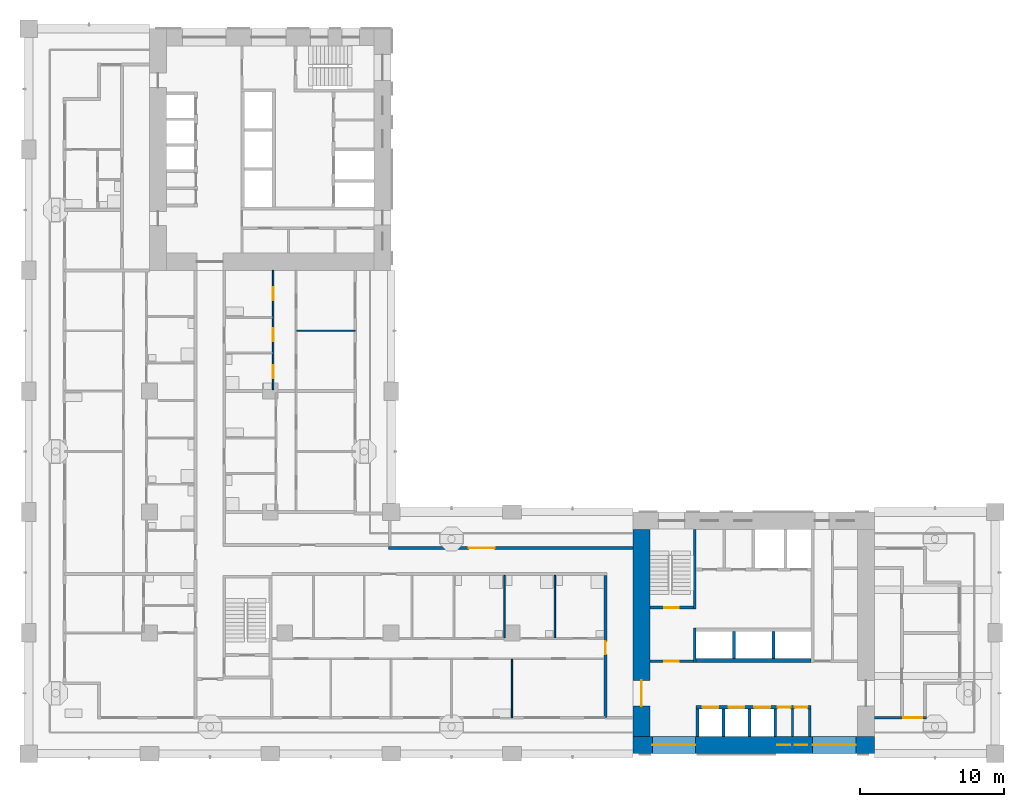
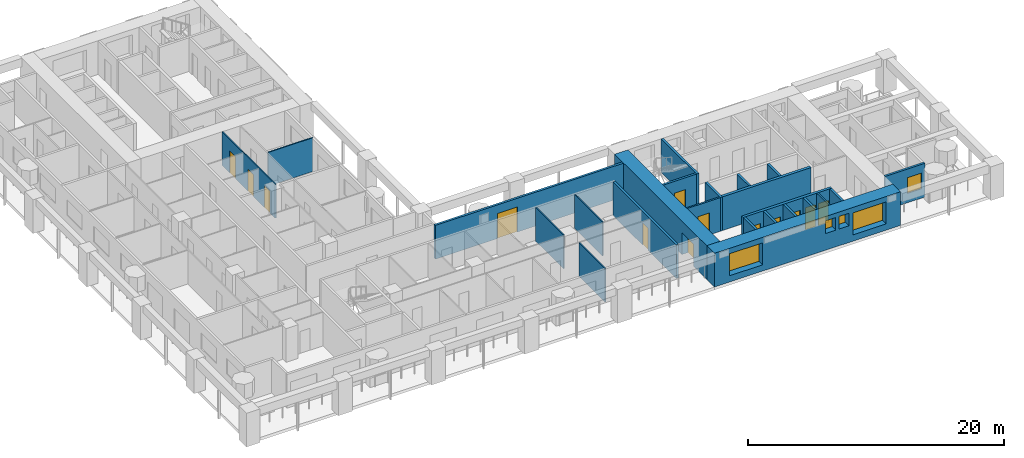
# One storey, part 5 of 19: 24 walls, 13 doors, 5 windows, 18 openings.
"""IFC4 building model written with IfcOpenShell, lengths in metres."""

from ifc_helpers import new_model, si_unit, direction, frame, frame_2d, origin, place, context, subcontext, project, spatial, rectangle, extrude, material, layer, layer_set, type_object, element, fill, save


model = new_model("IFC4")

# Units and contexts
model_context = context("Model", 3, precision=1e-05, world=origin(), true_north=direction((0.0, 1.0)))
body_context = subcontext(model_context, "Body", "Model", "MODEL_VIEW")
ifc_project = project(units=[si_unit("LENGTHUNIT", "METRE"), si_unit("AREAUNIT", "SQUARE_METRE"), si_unit("VOLUMEUNIT", "CUBIC_METRE"), si_unit("PLANEANGLEUNIT", "RADIAN"), si_unit("MASSUNIT", "GRAM", prefix="KILO")], contexts=[model_context])

# Site, building, storey
site_placement = place(None, origin())
site = spatial("IfcSite", under=ifc_project, at=site_placement, CompositionType="ELEMENT")
building_placement = place(site_placement, origin())
building = spatial("IfcBuilding", under=site, at=building_placement, Name="Vermilion Gate Residences", CompositionType="ELEMENT")
storey_placement = place(building_placement, frame((0.0, 0.0, 119.699951171875)))
storey = spatial("IfcBuildingStorey", under=building, at=storey_placement, Name="L30", CompositionType="ELEMENT", Elevation=119.699951171875)

# Wall
ifc_material_1 = material(Name="Masonry blockwork", Category="masonry")
ifc_layer_1 = layer(ifc_material_1, 0.14990234375)
ifc_layer_set_1 = layer_set([ifc_layer_1], Name="BLOCKWORK PARTITION 150 EI 120")
wall_type_1 = type_object("IfcWallType", Name="BLOCKWORK PARTITION 150 EI 120", PredefinedType="PARTITIONING", material=ifc_layer_set_1)
wall_1_placement = place(storey_placement, frame((53.10009765625, 9.60009765625, 0.0), z_axis=(0.0, 0.0, 1.0), x_axis=(0.0, 1.0, 0.0)))
element("IfcWall", 1, at=wall_1_placement, inside=storey, type_object=wall_type_1, Name="Core room partition A30-SR-P0", PredefinedType="PARTITIONING", context=body_context, shape_type="SweptSolid", body=[
    extrude(rectangle(XDim=1.89990234375, YDim=0.14990234375, at=frame_2d((0.949951171875, 0.0))), origin(), (0.0, 0.0, 1.0), 3.219970703125),
])

# Wall, opening, door
wall_2_placement = place(storey_placement, frame((43.199951171875, 14.824951171875, 0.0), z_axis=(0.0, 0.0, 1.0), x_axis=(1.0, 0.0, 0.0)))
wall_2 = element("IfcWall", 2, at=wall_2_placement, inside=storey, type_object=wall_type_1, Name="Core room partition A30-VW-S", PredefinedType="PARTITIONING", context=body_context, shape_type="SweptSolid", body=[
    extrude(rectangle(XDim=3.0, YDim=0.14990234375, at=frame_2d((1.5, 0.0))), origin(), (0.0, 0.0, 1.0), 3.219970703125),
])
opening_1_placement = place(wall_2_placement, frame((1.0, 0.0, 0.0)))
opening_1 = element("IfcOpeningElement", 3, at=opening_1_placement, cuts=wall_2, Name="Opening DK30012", PredefinedType="OPENING", context=body_context, shape_type="SweptSolid", body=[
    extrude(rectangle(XDim=1.0, YDim=2.10009765625, at=frame_2d((0.5, 1.050048828125))), frame((0.0, 0.0849609375, 0.0), z_axis=(0.0, -1.0, 0.0), x_axis=(1.0, 0.0, 0.0)), (0.0, 0.0, 1.0), 0.169921875),
])
ifc_material_2 = material(Name="Steel", Category="steel")
door_type_1 = type_object("IfcDoorType", Name="FIRE DOOR FD60 1000 X 2100", OperationType="SINGLE_SWING_LEFT", PredefinedType="DOOR", material=ifc_material_2)
door_1_placement = place(opening_1_placement, frame((1.0, 0.0, 0.0), z_axis=(0.0, 0.0, 1.0), x_axis=(-1.0, 0.0, 0.0)))
door_1 = element("IfcDoor", 4, at=door_1_placement, inside=storey, type_object=door_type_1, Name="Stair vestibule door A30", OperationType="SINGLE_SWING_RIGHT", OverallHeight=2.10009765625, OverallWidth=1.0, PredefinedType="DOOR", context=body_context, shape_type="SweptSolid", body=[
    extrude(rectangle(XDim=1.0, YDim=2.10009765625, at=frame_2d((0.5, 1.050048828125))), frame((0.0, 0.02490234375, 0.0), z_axis=(0.0, -1.0, 0.0), x_axis=(1.0, 0.0, 0.0)), (0.0, 0.0, 1.0), 0.050048828125),
])
fill(opening_1, door_1)

# Wall, opening, window
ifc_material_3 = material(Name="Insulated steel stud wall with terracotta rainscreen", Category="masonry")
ifc_layer_2 = layer(ifc_material_3, 0.199951171875)
ifc_layer_set_2 = layer_set([ifc_layer_2], Name="EXTERNAL WALL 200 TERRACOTTA RAINSCREEN")
wall_type_2 = type_object("IfcWallType", Name="EXTERNAL WALL 200 TERRACOTTA RAINSCREEN", PredefinedType="SOLIDWALL", material=ifc_layer_set_2)
wall_3_placement = place(storey_placement, frame((58.800048828125, 10.89990234375, 0.0), z_axis=(0.0, 0.0, 1.0), x_axis=(1.0, 0.0, 0.0)))
wall_3 = element("IfcWall", 5, at=wall_3_placement, inside=storey, type_object=wall_type_2, Name="External wall", PredefinedType="SOLIDWALL", context=body_context, shape_type="SweptSolid", body=[
    extrude(rectangle(XDim=3.599853515625, YDim=0.199951171875, at=frame_2d((1.7998046875, 0.0))), origin(), (0.0, 0.0, 1.0), 3.219970703125),
])
opening_2_placement = place(wall_3_placement, frame((2.0, 0.0, 0.89990234375)))
opening_2 = element("IfcOpeningElement", 6, at=opening_2_placement, cuts=wall_3, Name="Opening WE30020", PredefinedType="OPENING", context=body_context, shape_type="SweptSolid", body=[
    extrude(rectangle(XDim=1.300048828125, YDim=1.5, at=frame_2d((0.64990234375, 0.75))), frame((0.0, 0.10986328125, 0.0), z_axis=(0.0, -1.0, 0.0), x_axis=(1.0, 0.0, 0.0)), (0.0, 0.0, 1.0), 0.219970703125),
])
ifc_material_4 = material(Name="Aluminium and clear glass", Category="aluminium")
window_type_1 = type_object("IfcWindowType", Name="WINDOW 1300 X 1500", PartitioningType="SINGLE_PANEL", PredefinedType="WINDOW", material=ifc_material_4)
window_1_placement = place(opening_2_placement, origin())
window_1 = element("IfcWindow", 7, at=window_1_placement, inside=storey, type_object=window_type_1, Name="Window", OverallHeight=1.5, OverallWidth=1.300048828125, PartitioningType="SINGLE_PANEL", PredefinedType="WINDOW", context=body_context, shape_type="SweptSolid", body=[
    extrude(rectangle(XDim=1.300048828125, YDim=1.5, at=frame_2d((0.64990234375, 0.75))), frame((0.0, 0.030029296875, 0.0), z_axis=(0.0, -1.0, 0.0), x_axis=(1.0, 0.0, 0.0)), (0.0, 0.0, 1.0), 0.06005859375),
])
fill(opening_2, window_1)

# Wall, opening, door
wall_4_placement = place(storey_placement, frame((42.0, 22.699951171875, 0.0), z_axis=(0.0, 0.0, 1.0), x_axis=(-1.0, 0.0, 0.0)))
wall_4 = element("IfcWall", 8, at=wall_4_placement, inside=storey, type_object=wall_type_2, Name="External wall", PredefinedType="SOLIDWALL", context=body_context, shape_type="SweptSolid", body=[
    extrude(rectangle(XDim=17.0, YDim=0.199951171875, at=frame_2d((8.5, 0.0))), origin(), (0.0, 0.0, 1.0), 3.219970703125),
])
opening_3_placement = place(wall_4_placement, frame((9.60009765625, 0.0, 0.0)))
opening_3 = element("IfcOpeningElement", 9, at=opening_3_placement, cuts=wall_4, Name="Opening DE30029", PredefinedType="OPENING", context=body_context, shape_type="SweptSolid", body=[
    extrude(rectangle(XDim=1.800048828125, YDim=2.39990234375, at=frame_2d((0.89990234375, 1.199951171875))), frame((0.0, 0.10986328125, 0.0), z_axis=(0.0, -1.0, 0.0), x_axis=(1.0, 0.0, 0.0)), (0.0, 0.0, 1.0), 0.219970703125),
])
ifc_material_5 = material(Name="Aluminium and clear glass", Category="aluminium")
door_type_2 = type_object("IfcDoorType", Name="GLAZED EXTERNAL DOOR 1800 X 2400", OperationType="DOUBLE_DOOR_SINGLE_SWING", PredefinedType="DOOR", material=ifc_material_5)
door_2_placement = place(opening_3_placement, frame((1.800048828125, 0.0, 0.0), z_axis=(0.0, 0.0, 1.0), x_axis=(-1.0, 0.0, 0.0)))
door_2 = element("IfcDoor", 10, at=door_2_placement, inside=storey, type_object=door_type_2, Name="Gallery door", OperationType="DOUBLE_DOOR_SINGLE_SWING", OverallHeight=2.39990234375, OverallWidth=1.800048828125, PredefinedType="DOOR", context=body_context, shape_type="SweptSolid", body=[
    extrude(rectangle(XDim=1.800048828125, YDim=2.39990234375, at=frame_2d((0.89990234375, 1.199951171875))), frame((0.0, 0.02490234375, 0.0), z_axis=(0.0, -1.0, 0.0), x_axis=(1.0, 0.0, 0.0)), (0.0, 0.0, 1.0), 0.050048828125),
])
fill(opening_3, door_2)

# Wall
ifc_material_6 = material(Name="Plasterboard on steel studs", Category="steel")
ifc_layer_3 = layer(ifc_material_6, 0.10009765625)
ifc_layer_set_3 = layer_set([ifc_layer_3], Name="PARTITION 100")
wall_type_3 = type_object("IfcWallType", Name="PARTITION 100", PredefinedType="PARTITIONING", material=ifc_layer_set_3)
wall_5_placement = place(storey_placement, frame((18.64990234375, 37.800048828125, 0.0), z_axis=(0.0, 0.0, 1.0), x_axis=(1.0, 0.0, 0.0)))
element("IfcWall", 11, at=wall_5_placement, inside=storey, type_object=wall_type_3, Name="Partition", PredefinedType="PARTITIONING", context=body_context, shape_type="SweptSolid", body=[
    extrude(rectangle(XDim=4.050048828125, YDim=0.10009765625, at=frame_2d((2.02490234375, 0.0))), origin(), (0.0, 0.0, 1.0), 3.219970703125),
])

# Wall, openings, doors
wall_6_placement = place(storey_placement, frame((17.0, 33.699951171875, 0.0), z_axis=(0.0, 0.0, 1.0), x_axis=(0.0, 1.0, 0.0)))
wall_6 = element("IfcWall", 12, at=wall_6_placement, inside=storey, type_object=wall_type_3, Name="Partition", PredefinedType="PARTITIONING", context=body_context, shape_type="SweptSolid", body=[
    extrude(rectangle(XDim=8.300048828125, YDim=0.10009765625, at=frame_2d((4.14990234375, 0.0))), origin(), (0.0, 0.0, 1.0), 3.219970703125),
])
opening_4_placement = place(wall_6_placement, frame((3.366943359375, 0.0, 0.0)))
opening_4 = element("IfcOpeningElement", 13, at=opening_4_placement, cuts=wall_6, Name="Opening DA30040", PredefinedType="OPENING", context=body_context, shape_type="SweptSolid", body=[
    extrude(rectangle(XDim=0.89990234375, YDim=2.10009765625, at=frame_2d((0.449951171875, 1.050048828125))), frame((0.0, 0.06005859375, 0.0), z_axis=(0.0, -1.0, 0.0), x_axis=(1.0, 0.0, 0.0)), (0.0, 0.0, 1.0), 0.1201171875),
])
opening_5_placement = place(wall_6_placement, frame((0.800048828125, 0.0, 0.0)))
opening_5 = element("IfcOpeningElement", 14, at=opening_5_placement, cuts=wall_6, Name="Opening DA30041", PredefinedType="OPENING", context=body_context, shape_type="SweptSolid", body=[
    extrude(rectangle(XDim=0.89990234375, YDim=2.10009765625, at=frame_2d((0.449951171875, 1.050048828125))), frame((0.0, 0.06005859375, 0.0), z_axis=(0.0, -1.0, 0.0), x_axis=(1.0, 0.0, 0.0)), (0.0, 0.0, 1.0), 0.1201171875),
])
opening_6_placement = place(wall_6_placement, frame((6.23291015625, 0.0, 0.0)))
opening_6 = element("IfcOpeningElement", 15, at=opening_6_placement, cuts=wall_6, Name="Opening DA30042", PredefinedType="OPENING", context=body_context, shape_type="SweptSolid", body=[
    extrude(rectangle(XDim=0.89990234375, YDim=2.10009765625, at=frame_2d((0.449951171875, 1.050048828125))), frame((0.0, 0.06005859375, 0.0), z_axis=(0.0, -1.0, 0.0), x_axis=(1.0, 0.0, 0.0)), (0.0, 0.0, 1.0), 0.1201171875),
])
ifc_material_7 = material(Name="Timber", Category="wood")
door_type_3 = type_object("IfcDoorType", Name="INTERIOR DOOR 900 X 2100", OperationType="SINGLE_SWING_LEFT", PredefinedType="DOOR", material=ifc_material_7)
door_3_placement = place(opening_4_placement, origin())
door_3 = element("IfcDoor", 16, at=door_3_placement, inside=storey, type_object=door_type_3, Name="Interior door", OperationType="SINGLE_SWING_RIGHT", OverallHeight=2.10009765625, OverallWidth=0.89990234375, PredefinedType="DOOR", context=body_context, shape_type="SweptSolid", body=[
    extrude(rectangle(XDim=0.89990234375, YDim=2.10009765625, at=frame_2d((0.449951171875, 1.050048828125))), frame((0.0, 0.02490234375, 0.0), z_axis=(0.0, -1.0, 0.0), x_axis=(1.0, 0.0, 0.0)), (0.0, 0.0, 1.0), 0.050048828125),
])
fill(opening_4, door_3)
door_4_placement = place(opening_5_placement, origin())
door_4 = element("IfcDoor", 17, at=door_4_placement, inside=storey, type_object=door_type_3, Name="Interior door", OperationType="SINGLE_SWING_LEFT", OverallHeight=2.10009765625, OverallWidth=0.89990234375, PredefinedType="DOOR", context=body_context, shape_type="SweptSolid", body=[
    extrude(rectangle(XDim=0.89990234375, YDim=2.10009765625, at=frame_2d((0.449951171875, 1.050048828125))), frame((0.0, 0.02490234375, 0.0), z_axis=(0.0, -1.0, 0.0), x_axis=(1.0, 0.0, 0.0)), (0.0, 0.0, 1.0), 0.050048828125),
])
fill(opening_5, door_4)
door_5_placement = place(opening_6_placement, origin())
door_5 = element("IfcDoor", 18, at=door_5_placement, inside=storey, type_object=door_type_3, Name="Interior door", OperationType="SINGLE_SWING_LEFT", OverallHeight=2.10009765625, OverallWidth=0.89990234375, PredefinedType="DOOR", context=body_context, shape_type="SweptSolid", body=[
    extrude(rectangle(XDim=0.89990234375, YDim=2.10009765625, at=frame_2d((0.449951171875, 1.050048828125))), frame((0.0, 0.02490234375, 0.0), z_axis=(0.0, -1.0, 0.0), x_axis=(1.0, 0.0, 0.0)), (0.0, 0.0, 1.0), 0.050048828125),
])
fill(opening_6, door_5)

# Walls
wall_7_placement = place(storey_placement, frame((33.072021484375, 16.449951171875, 0.0), z_axis=(0.0, 0.0, 1.0), x_axis=(0.0, 1.0, 0.0)))
element("IfcWall", 19, at=wall_7_placement, inside=storey, type_object=wall_type_3, Name="Partition", PredefinedType="PARTITIONING", context=body_context, shape_type="SweptSolid", body=[
    extrude(rectangle(XDim=4.35009765625, YDim=0.10009765625, at=frame_2d((2.175048828125, 0.0))), origin(), (0.0, 0.0, 1.0), 3.219970703125),
])
wall_8_placement = place(storey_placement, frame((33.60009765625, 10.89990234375, 0.0), z_axis=(0.0, 0.0, 1.0), x_axis=(0.0, 1.0, 0.0)))
element("IfcWall", 20, at=wall_8_placement, inside=storey, type_object=wall_type_3, Name="Partition", PredefinedType="PARTITIONING", context=body_context, shape_type="SweptSolid", body=[
    extrude(rectangle(XDim=4.050048828125, YDim=0.10009765625, at=frame_2d((2.02490234375, 0.0))), origin(), (0.0, 0.0, 1.0), 3.219970703125),
])
wall_9_placement = place(storey_placement, frame((36.5859375, 16.449951171875, 0.0), z_axis=(0.0, 0.0, 1.0), x_axis=(0.0, 1.0, 0.0)))
element("IfcWall", 21, at=wall_9_placement, inside=storey, type_object=wall_type_3, Name="Partition", PredefinedType="PARTITIONING", context=body_context, shape_type="SweptSolid", body=[
    extrude(rectangle(XDim=4.35009765625, YDim=0.10009765625, at=frame_2d((2.175048828125, 0.0))), origin(), (0.0, 0.0, 1.0), 3.219970703125),
])

# Wall, opening, door
ifc_material_8 = material(Name="Fire-rated plasterboard on steel studs", Category="steel")
ifc_layer_4 = layer(ifc_material_8, 0.199951171875)
ifc_layer_set_4 = layer_set([ifc_layer_4], Name="PARTY WALL 200 EI 120")
wall_type_4 = type_object("IfcWallType", Name="PARTY WALL 200 EI 120", PredefinedType="PARTITIONING", material=ifc_layer_set_4)
wall_10_placement = place(storey_placement, frame((40.10009765625, 10.89990234375, 0.0), z_axis=(0.0, 0.0, 1.0), x_axis=(0.0, 1.0, 0.0)))
wall_10 = element("IfcWall", 22, at=wall_10_placement, inside=storey, type_object=wall_type_4, Name="Party and corridor wall", PredefinedType="PARTITIONING", context=body_context, shape_type="SweptSolid", body=[
    extrude(rectangle(XDim=9.900146484375, YDim=0.199951171875, at=frame_2d((4.9501953125, 0.0))), origin(), (0.0, 0.0, 1.0), 3.219970703125),
])
opening_7_placement = place(wall_10_placement, frame((4.39990234375, 0.0, 0.0)))
opening_7 = element("IfcOpeningElement", 23, at=opening_7_placement, cuts=wall_10, Name="Opening DA30050", PredefinedType="OPENING", context=body_context, shape_type="SweptSolid", body=[
    extrude(rectangle(XDim=0.89990234375, YDim=2.10009765625, at=frame_2d((0.449951171875, 1.050048828125))), frame((0.0, 0.10986328125, 0.0), z_axis=(0.0, -1.0, 0.0), x_axis=(1.0, 0.0, 0.0)), (0.0, 0.0, 1.0), 0.219970703125),
])
door_6_placement = place(opening_7_placement, origin())
door_6 = element("IfcDoor", 24, at=door_6_placement, inside=storey, type_object=door_type_3, Name="Interior door", OperationType="SINGLE_SWING_RIGHT", OverallHeight=2.10009765625, OverallWidth=0.89990234375, PredefinedType="DOOR", context=body_context, shape_type="SweptSolid", body=[
    extrude(rectangle(XDim=0.89990234375, YDim=2.10009765625, at=frame_2d((0.449951171875, 1.050048828125))), frame((0.0, 0.02490234375, 0.0), z_axis=(0.0, -1.0, 0.0), x_axis=(1.0, 0.0, 0.0)), (0.0, 0.0, 1.0), 0.050048828125),
])
fill(opening_7, door_6)

# Walls
ifc_material_9 = material(Name="Concrete C60", Category="concrete")
ifc_layer_5 = layer(ifc_material_9, 0.199951171875)
ifc_layer_set_5 = layer_set([ifc_layer_5], Name="RC CORE INTERNAL WALL 200 C60")
wall_type_5 = type_object("IfcWallType", Name="RC CORE INTERNAL WALL 200 C60", PredefinedType="SHEAR", material=ifc_layer_set_5)
for number, where, z_axis, x_axis, name in (
    (25, (46.5, 9.60009765625, 0.0), (0.0, 0.0, 1.0), (0.0, 1.0, 0.0), "Core internal wall A30-LR-D0"),
    (26, (48.300048828125, 9.60009765625, 0.0), (0.0, 0.0, 1.0), (0.0, 1.0, 0.0), "Core internal wall A30-LR-D1"),
    (27, (50.10009765625, 9.60009765625, 0.0), (0.0, 0.0, 1.0), (0.0, 1.0, 0.0), "Core internal wall A30-LR-D2"),
    (28, (51.89990234375, 9.60009765625, 0.0), (0.0, 0.0, 1.0), (0.0, 1.0, 0.0), "Core internal wall A30-LR-D3"),
    (29, (54.300048828125, 9.60009765625, 0.0), (0.0, 0.0, 1.0), (0.0, 1.0, 0.0), "Core internal wall A30-LR-DE"),
    (30, (49.033447265625, 15.0, 0.0), (0.0, 0.0, 1.0), (0.0, 1.0, 0.0), "Core internal wall A30-HR-D1"),
    (31, (51.7666015625, 15.0, 0.0), (0.0, 0.0, 1.0), (0.0, 1.0, 0.0), "Core internal wall A30-HR-D2"),
):
    element("IfcWall", number, at=place(storey_placement, frame(where, z_axis=z_axis, x_axis=x_axis)), inside=storey, type_object=wall_type_5, Name=name, PredefinedType="SHEAR", context=body_context, shape_type="SweptSolid", body=[
        extrude(rectangle(XDim=1.89990234375, YDim=0.199951171875, at=frame_2d((0.949951171875, 0.0))), origin(), (0.0, 0.0, 1.0), 3.219970703125),
    ])
wall_11_placement = place(storey_placement, frame((46.300048828125, 14.75, 0.0), z_axis=(0.0, 0.0, 1.0), x_axis=(0.0, 1.0, 0.0)))
element("IfcWall", 32, at=wall_11_placement, inside=storey, type_object=wall_type_5, Name="Core internal wall A30-WDIV1", PredefinedType="SHEAR", context=body_context, shape_type="SweptSolid", body=[
    extrude(rectangle(XDim=2.39990234375, YDim=0.199951171875, at=frame_2d((1.199951171875, 0.0))), origin(), (0.0, 0.0, 1.0), 3.219970703125),
])
wall_12_placement = place(storey_placement, frame((46.300048828125, 18.449951171875, 0.0), z_axis=(0.0, 0.0, 1.0), x_axis=(0.0, 1.0, 0.0)))
element("IfcWall", 33, at=wall_12_placement, inside=storey, type_object=wall_type_5, Name="Core internal wall A30-WDIV2", PredefinedType="SHEAR", context=body_context, shape_type="SweptSolid", body=[
    extrude(rectangle(XDim=5.550048828125, YDim=0.199951171875, at=frame_2d((2.77490234375, 0.0))), origin(), (0.0, 0.0, 1.0), 3.219970703125),
])

# Wall, opening, door
wall_13_placement = place(storey_placement, frame((43.199951171875, 18.550048828125, 0.0), z_axis=(0.0, 0.0, 1.0), x_axis=(1.0, 0.0, 0.0)))
wall_13 = element("IfcWall", 34, at=wall_13_placement, inside=storey, type_object=wall_type_5, Name="Core internal wall A30-STW-S", PredefinedType="SHEAR", context=body_context, shape_type="SweptSolid", body=[
    extrude(rectangle(XDim=3.0, YDim=0.199951171875, at=frame_2d((1.5, 0.0))), origin(), (0.0, 0.0, 1.0), 3.219970703125),
])
opening_8_placement = place(wall_13_placement, frame((1.0, 0.0, 0.0)))
opening_8 = element("IfcOpeningElement", 35, at=opening_8_placement, cuts=wall_13, Name="Opening DK30013", PredefinedType="OPENING", context=body_context, shape_type="SweptSolid", body=[
    extrude(rectangle(XDim=1.0, YDim=2.10009765625, at=frame_2d((0.5, 1.050048828125))), frame((0.0, 0.10986328125, 0.0), z_axis=(0.0, -1.0, 0.0), x_axis=(1.0, 0.0, 0.0)), (0.0, 0.0, 1.0), 0.219970703125),
])
door_7_placement = place(opening_8_placement, origin())
door_7 = element("IfcDoor", 36, at=door_7_placement, inside=storey, type_object=door_type_1, Name="Stair door A30", OperationType="SINGLE_SWING_LEFT", OverallHeight=2.10009765625, OverallWidth=1.0, PredefinedType="DOOR", context=body_context, shape_type="SweptSolid", body=[
    extrude(rectangle(XDim=1.0, YDim=2.10009765625, at=frame_2d((0.5, 1.050048828125))), frame((0.0, 0.02490234375, 0.0), z_axis=(0.0, -1.0, 0.0), x_axis=(1.0, 0.0, 0.0)), (0.0, 0.0, 1.0), 0.050048828125),
])
fill(opening_8, door_7)

ifc_material_10 = material(Name="Concrete C70", Category="concrete")
ifc_layer_6 = layer(ifc_material_10, 1.199951171875)
ifc_layer_set_6 = layer_set([ifc_layer_6], Name="RC CORE WALL 1200 C70")
wall_type_6 = type_object("IfcWallType", Name="RC CORE WALL 1200 C70", PredefinedType="SHEAR", material=ifc_layer_set_6)
wall_14_placement = place(storey_placement, frame((42.60009765625, 9.60009765625, 0.0), z_axis=(0.0, 0.0, 1.0), x_axis=(0.0, 1.0, 0.0)))
wall_14 = element("IfcWall", 37, at=wall_14_placement, inside=storey, type_object=wall_type_6, Name="Core wall A30-OUT-FR", PredefinedType="SHEAR", context=body_context, shape_type="SweptSolid", body=[
    extrude(rectangle(XDim=14.39990234375, YDim=1.199951171875, at=frame_2d((7.199951171875, 0.0))), origin(), (0.0, 0.0, 1.0), 3.219970703125),
])
opening_9_placement = place(wall_14_placement, frame((2.10009765625, 0.0, 0.0)))
opening_9 = element("IfcOpeningElement", 38, at=opening_9_placement, cuts=wall_14, Name="Opening DK30001", PredefinedType="OPENING", context=body_context, shape_type="SweptSolid", body=[
    extrude(rectangle(XDim=1.800048828125, YDim=2.10009765625, at=frame_2d((0.89990234375, 1.050048828125))), frame((0.0, 0.60986328125, 0.0), z_axis=(0.0, -1.0, 0.0), x_axis=(1.0, 0.0, 0.0)), (0.0, 0.0, 1.0), 1.219970703125),
])
ifc_material_11 = material(Name="Steel", Category="steel")
door_type_4 = type_object("IfcDoorType", Name="CORE LOBBY DOOR FD60 1800 X 2100", OperationType="DOUBLE_DOOR_SINGLE_SWING", PredefinedType="DOOR", material=ifc_material_11)
door_8_placement = place(opening_9_placement, frame((1.800048828125, 0.0, 0.0), z_axis=(0.0, 0.0, 1.0), x_axis=(-1.0, 0.0, 0.0)))
door_8 = element("IfcDoor", 39, at=door_8_placement, inside=storey, type_object=door_type_4, Name="Core lobby door A30", OperationType="DOUBLE_DOOR_SINGLE_SWING", OverallHeight=2.10009765625, OverallWidth=1.800048828125, PredefinedType="DOOR", context=body_context, shape_type="SweptSolid", body=[
    extrude(rectangle(XDim=1.800048828125, YDim=2.10009765625, at=frame_2d((0.89990234375, 1.050048828125))), frame((0.0, 0.02490234375, 0.0), z_axis=(0.0, -1.0, 0.0), x_axis=(1.0, 0.0, 0.0)), (0.0, 0.0, 1.0), 0.050048828125),
])
fill(opening_9, door_8)

# Wall, openings, windows
ifc_material_12 = material(Name="Concrete C70 red-oxide pigmented", Category="concrete")
ifc_layer_7 = layer(ifc_material_12, 1.199951171875)
ifc_layer_set_7 = layer_set([ifc_layer_7], Name="RC CORE WALL 1200 C70 RED OXIDE")
wall_type_7 = type_object("IfcWallType", Name="RC CORE WALL 1200 C70 RED OXIDE", PredefinedType="SHEAR", material=ifc_layer_set_7)
wall_15_placement = place(storey_placement, frame((42.0, 9.0, 0.0), z_axis=(0.0, 0.0, 1.0), x_axis=(1.0, 0.0, 0.0)))
wall_15 = element("IfcWall", 40, at=wall_15_placement, inside=storey, type_object=wall_type_7, Name="Core wall A30-OUT-B0", PredefinedType="SHEAR", context=body_context, shape_type="SweptSolid", body=[
    extrude(rectangle(XDim=16.800048828125, YDim=1.199951171875, at=frame_2d((8.39990234375, 0.0))), origin(), (0.0, 0.0, 1.0), 3.219970703125),
])
opening_10_placement = place(wall_15_placement, frame((1.35009765625, 0.0, 0.60009765625)))
opening_10 = element("IfcOpeningElement", 41, at=opening_10_placement, cuts=wall_15, Name="Opening WKA3001", PredefinedType="OPENING", context=body_context, shape_type="SweptSolid", body=[
    extrude(rectangle(XDim=3.0, YDim=2.10009765625, at=frame_2d((1.5, 1.050048828125))), frame((0.0, 0.60986328125, 0.0), z_axis=(0.0, -1.0, 0.0), x_axis=(1.0, 0.0, 0.0)), (0.0, 0.0, 1.0), 1.219970703125),
])
opening_11_placement = place(wall_15_placement, frame((10.050048828125, 0.0, 1.60009765625)))
opening_11 = element("IfcOpeningElement", 42, at=opening_11_placement, cuts=wall_15, Name="Opening WKA3002", PredefinedType="OPENING", context=body_context, shape_type="SweptSolid", body=[
    extrude(rectangle(XDim=0.89990234375, YDim=1.199951171875, at=frame_2d((0.449951171875, 0.60009765625))), frame((0.0, 0.60986328125, 0.0), z_axis=(0.0, -1.0, 0.0), x_axis=(1.0, 0.0, 0.0)), (0.0, 0.0, 1.0), 1.219970703125),
])
opening_12_placement = place(wall_15_placement, frame((11.237548828125, 0.0, 1.60009765625)))
opening_12 = element("IfcOpeningElement", 43, at=opening_12_placement, cuts=wall_15, Name="Opening WKA3003", PredefinedType="OPENING", context=body_context, shape_type="SweptSolid", body=[
    extrude(rectangle(XDim=0.89990234375, YDim=1.199951171875, at=frame_2d((0.449951171875, 0.60009765625))), frame((0.0, 0.60986328125, 0.0), z_axis=(0.0, -1.0, 0.0), x_axis=(1.0, 0.0, 0.0)), (0.0, 0.0, 1.0), 1.219970703125),
])
opening_13_placement = place(wall_15_placement, frame((12.5, 0.0, 0.60009765625)))
opening_13 = element("IfcOpeningElement", 44, at=opening_13_placement, cuts=wall_15, Name="Opening WKA3004", PredefinedType="OPENING", context=body_context, shape_type="SweptSolid", body=[
    extrude(rectangle(XDim=3.0, YDim=2.10009765625, at=frame_2d((1.5, 1.050048828125))), frame((0.0, 0.60986328125, 0.0), z_axis=(0.0, -1.0, 0.0), x_axis=(1.0, 0.0, 0.0)), (0.0, 0.0, 1.0), 1.219970703125),
])
ifc_material_13 = material(Name="Aluminium and clear glass", Category="aluminium")
window_type_2 = type_object("IfcWindowType", Name="CORE LOBBY WINDOW 3000 X 2100", PartitioningType="SINGLE_PANEL", PredefinedType="WINDOW", material=ifc_material_13)
window_2_placement = place(opening_10_placement, origin())
window_2 = element("IfcWindow", 45, at=window_2_placement, inside=storey, type_object=window_type_2, Name="Core lobby window", OverallHeight=2.10009765625, OverallWidth=3.0, PartitioningType="SINGLE_PANEL", PredefinedType="WINDOW", context=body_context, shape_type="SweptSolid", body=[
    extrude(rectangle(XDim=3.0, YDim=2.10009765625, at=frame_2d((1.5, 1.050048828125))), frame((0.0, 0.030029296875, 0.0), z_axis=(0.0, -1.0, 0.0), x_axis=(1.0, 0.0, 0.0)), (0.0, 0.0, 1.0), 0.06005859375),
])
fill(opening_10, window_2)
window_3_placement = place(opening_13_placement, origin())
window_3 = element("IfcWindow", 46, at=window_3_placement, inside=storey, type_object=window_type_2, Name="Core lobby window", OverallHeight=2.10009765625, OverallWidth=3.0, PartitioningType="SINGLE_PANEL", PredefinedType="WINDOW", context=body_context, shape_type="SweptSolid", body=[
    extrude(rectangle(XDim=3.0, YDim=2.10009765625, at=frame_2d((1.5, 1.050048828125))), frame((0.0, 0.030029296875, 0.0), z_axis=(0.0, -1.0, 0.0), x_axis=(1.0, 0.0, 0.0)), (0.0, 0.0, 1.0), 0.06005859375),
])
fill(opening_13, window_3)
ifc_material_14 = material(Name="Aluminium frame with louvre blades", Category="aluminium")
window_type_3 = type_object("IfcWindowType", Name="CORE LOUVRE 900 X 1200", PartitioningType="SINGLE_PANEL", PredefinedType="WINDOW", material=ifc_material_14)
window_4_placement = place(opening_11_placement, origin())
window_4 = element("IfcWindow", 47, at=window_4_placement, inside=storey, type_object=window_type_3, Name="Core louvre", OverallHeight=1.199951171875, OverallWidth=0.89990234375, PartitioningType="SINGLE_PANEL", PredefinedType="WINDOW", context=body_context, shape_type="SweptSolid", body=[
    extrude(rectangle(XDim=0.89990234375, YDim=1.199951171875, at=frame_2d((0.449951171875, 0.60009765625))), frame((0.0, 0.030029296875, 0.0), z_axis=(0.0, -1.0, 0.0), x_axis=(1.0, 0.0, 0.0)), (0.0, 0.0, 1.0), 0.06005859375),
])
fill(opening_11, window_4)
window_5_placement = place(opening_12_placement, origin())
window_5 = element("IfcWindow", 48, at=window_5_placement, inside=storey, type_object=window_type_3, Name="Core louvre", OverallHeight=1.199951171875, OverallWidth=0.89990234375, PartitioningType="SINGLE_PANEL", PredefinedType="WINDOW", context=body_context, shape_type="SweptSolid", body=[
    extrude(rectangle(XDim=0.89990234375, YDim=1.199951171875, at=frame_2d((0.449951171875, 0.60009765625))), frame((0.0, 0.030029296875, 0.0), z_axis=(0.0, -1.0, 0.0), x_axis=(1.0, 0.0, 0.0)), (0.0, 0.0, 1.0), 0.06005859375),
])
fill(opening_12, window_5)

# Wall, openings, doors
ifc_material_15 = material(Name="Concrete C60", Category="concrete")
ifc_layer_8 = layer(ifc_material_15, 0.25)
ifc_layer_set_8 = layer_set([ifc_layer_8], Name="RC LIFT SHAFT WALL 250 C60")
wall_type_8 = type_object("IfcWallType", Name="RC LIFT SHAFT WALL 250 C60", PredefinedType="SHEAR", material=ifc_layer_set_8)
wall_16_placement = place(storey_placement, frame((46.39990234375, 11.625, 0.0), z_axis=(0.0, 0.0, 1.0), x_axis=(1.0, 0.0, 0.0)))
wall_16 = element("IfcWall", 49, at=wall_16_placement, inside=storey, type_object=wall_type_8, Name="Lift shaft wall A30-LR-F", PredefinedType="SHEAR", context=body_context, shape_type="SweptSolid", body=[
    extrude(rectangle(XDim=8.0, YDim=0.25, at=frame_2d((4.0, 0.0))), origin(), (0.0, 0.0, 1.0), 3.219970703125),
])
opening_14_placement = place(wall_16_placement, frame((0.449951171875, 0.0, 0.0)))
opening_14 = element("IfcOpeningElement", 50, at=opening_14_placement, cuts=wall_16, Name="Opening LD", PredefinedType="OPENING", context=body_context, shape_type="SweptSolid", body=[
    extrude(rectangle(XDim=1.10009765625, YDim=2.10009765625, at=frame_2d((0.550048828125, 1.050048828125))), frame((0.0, 0.135009765625, 0.0), z_axis=(0.0, -1.0, 0.0), x_axis=(1.0, 0.0, 0.0)), (0.0, 0.0, 1.0), 0.27001953125),
])
opening_15_placement = place(wall_16_placement, frame((2.25, 0.0, 0.0)))
opening_15 = element("IfcOpeningElement", 51, at=opening_15_placement, cuts=wall_16, Name="Opening LD", PredefinedType="OPENING", context=body_context, shape_type="SweptSolid", body=[
    extrude(rectangle(XDim=1.10009765625, YDim=2.10009765625, at=frame_2d((0.550048828125, 1.050048828125))), frame((0.0, 0.135009765625, 0.0), z_axis=(0.0, -1.0, 0.0), x_axis=(1.0, 0.0, 0.0)), (0.0, 0.0, 1.0), 0.27001953125),
])
opening_16_placement = place(wall_16_placement, frame((4.050048828125, 0.0, 0.0)))
opening_16 = element("IfcOpeningElement", 52, at=opening_16_placement, cuts=wall_16, Name="Opening LD", PredefinedType="OPENING", context=body_context, shape_type="SweptSolid", body=[
    extrude(rectangle(XDim=1.10009765625, YDim=2.10009765625, at=frame_2d((0.550048828125, 1.050048828125))), frame((0.0, 0.135009765625, 0.0), z_axis=(0.0, -1.0, 0.0), x_axis=(1.0, 0.0, 0.0)), (0.0, 0.0, 1.0), 0.27001953125),
])
opening_17_placement = place(wall_16_placement, frame((5.66259765625, 0.0, 0.0)))
opening_17 = element("IfcOpeningElement", 53, at=opening_17_placement, cuts=wall_16, Name="Opening DK30006", PredefinedType="OPENING", context=body_context, shape_type="SweptSolid", body=[
    extrude(rectangle(XDim=0.89990234375, YDim=2.10009765625, at=frame_2d((0.449951171875, 1.050048828125))), frame((0.0, 0.135009765625, 0.0), z_axis=(0.0, -1.0, 0.0), x_axis=(1.0, 0.0, 0.0)), (0.0, 0.0, 1.0), 0.27001953125),
])
opening_18_placement = place(wall_16_placement, frame((6.83740234375, 0.0, 0.0)))
opening_18 = element("IfcOpeningElement", 54, at=opening_18_placement, cuts=wall_16, Name="Opening DK30007", PredefinedType="OPENING", context=body_context, shape_type="SweptSolid", body=[
    extrude(rectangle(XDim=0.89990234375, YDim=2.10009765625, at=frame_2d((0.449951171875, 1.050048828125))), frame((0.0, 0.135009765625, 0.0), z_axis=(0.0, -1.0, 0.0), x_axis=(1.0, 0.0, 0.0)), (0.0, 0.0, 1.0), 0.27001953125),
])
ifc_material_16 = material(Name="Stainless steel", Category="steel")
door_type_5 = type_object("IfcDoorType", Name="LIFT LANDING DOOR E60 1100 X 2100", OperationType="DOUBLE_DOOR_SLIDING", PredefinedType="DOOR", material=ifc_material_16)
door_9_placement = place(opening_14_placement, origin())
door_9 = element("IfcDoor", 55, at=door_9_placement, inside=storey, type_object=door_type_5, Name="Lift landing door LRA1", OperationType="DOUBLE_DOOR_SLIDING", OverallHeight=2.10009765625, OverallWidth=1.10009765625, PredefinedType="DOOR", context=body_context, shape_type="SweptSolid", body=[
    extrude(rectangle(XDim=1.10009765625, YDim=2.10009765625, at=frame_2d((0.550048828125, 1.050048828125))), frame((0.0, 0.02490234375, 0.0), z_axis=(0.0, -1.0, 0.0), x_axis=(1.0, 0.0, 0.0)), (0.0, 0.0, 1.0), 0.050048828125),
])
fill(opening_14, door_9)
door_10_placement = place(opening_15_placement, origin())
door_10 = element("IfcDoor", 56, at=door_10_placement, inside=storey, type_object=door_type_5, Name="Lift landing door LRA2", OperationType="DOUBLE_DOOR_SLIDING", OverallHeight=2.10009765625, OverallWidth=1.10009765625, PredefinedType="DOOR", context=body_context, shape_type="SweptSolid", body=[
    extrude(rectangle(XDim=1.10009765625, YDim=2.10009765625, at=frame_2d((0.550048828125, 1.050048828125))), frame((0.0, 0.02490234375, 0.0), z_axis=(0.0, -1.0, 0.0), x_axis=(1.0, 0.0, 0.0)), (0.0, 0.0, 1.0), 0.050048828125),
])
fill(opening_15, door_10)
door_11_placement = place(opening_16_placement, origin())
door_11 = element("IfcDoor", 57, at=door_11_placement, inside=storey, type_object=door_type_5, Name="Lift landing door LRA3", OperationType="DOUBLE_DOOR_SLIDING", OverallHeight=2.10009765625, OverallWidth=1.10009765625, PredefinedType="DOOR", context=body_context, shape_type="SweptSolid", body=[
    extrude(rectangle(XDim=1.10009765625, YDim=2.10009765625, at=frame_2d((0.550048828125, 1.050048828125))), frame((0.0, 0.02490234375, 0.0), z_axis=(0.0, -1.0, 0.0), x_axis=(1.0, 0.0, 0.0)), (0.0, 0.0, 1.0), 0.050048828125),
])
fill(opening_16, door_11)
ifc_material_17 = material(Name="Steel", Category="steel")
door_type_6 = type_object("IfcDoorType", Name="SERVICE ROOM DOOR FD60 900 X 2100", OperationType="SINGLE_SWING_LEFT", PredefinedType="DOOR", material=ifc_material_17)
door_12_placement = place(opening_17_placement, frame((0.89990234375, 0.0, 0.0), z_axis=(0.0, 0.0, 1.0), x_axis=(-1.0, 0.0, 0.0)))
door_12 = element("IfcDoor", 58, at=door_12_placement, inside=storey, type_object=door_type_6, Name="Refuse room A30", OperationType="SINGLE_SWING_RIGHT", OverallHeight=2.10009765625, OverallWidth=0.89990234375, PredefinedType="DOOR", context=body_context, shape_type="SweptSolid", body=[
    extrude(rectangle(XDim=0.89990234375, YDim=2.10009765625, at=frame_2d((0.449951171875, 1.050048828125))), frame((0.0, 0.02490234375, 0.0), z_axis=(0.0, -1.0, 0.0), x_axis=(1.0, 0.0, 0.0)), (0.0, 0.0, 1.0), 0.050048828125),
])
fill(opening_17, door_12)
door_13_placement = place(opening_18_placement, frame((0.89990234375, 0.0, 0.0), z_axis=(0.0, 0.0, 1.0), x_axis=(-1.0, 0.0, 0.0)))
door_13 = element("IfcDoor", 59, at=door_13_placement, inside=storey, type_object=door_type_6, Name="Parcel room A30", OperationType="SINGLE_SWING_RIGHT", OverallHeight=2.10009765625, OverallWidth=0.89990234375, PredefinedType="DOOR", context=body_context, shape_type="SweptSolid", body=[
    extrude(rectangle(XDim=0.89990234375, YDim=2.10009765625, at=frame_2d((0.449951171875, 1.050048828125))), frame((0.0, 0.02490234375, 0.0), z_axis=(0.0, -1.0, 0.0), x_axis=(1.0, 0.0, 0.0)), (0.0, 0.0, 1.0), 0.050048828125),
])
fill(opening_18, door_13)

# Wall
wall_17_placement = place(storey_placement, frame((46.39990234375, 14.875, 0.0), z_axis=(0.0, 0.0, 1.0), x_axis=(1.0, 0.0, 0.0)))
element("IfcWall", 60, at=wall_17_placement, inside=storey, type_object=wall_type_8, Name="Lift shaft wall A30-HR-F", PredefinedType="SHEAR", context=body_context, shape_type="SweptSolid", body=[
    extrude(rectangle(XDim=8.0, YDim=0.25, at=frame_2d((4.0, 0.0))), origin(), (0.0, 0.0, 1.0), 3.219970703125),
])

save(model, "model.ifc")
